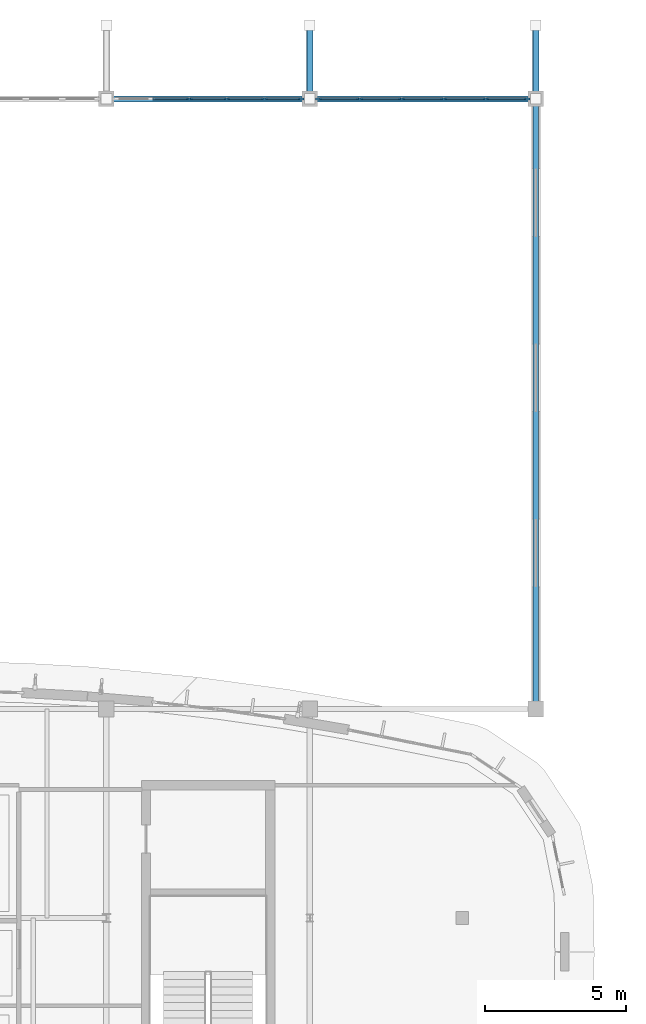
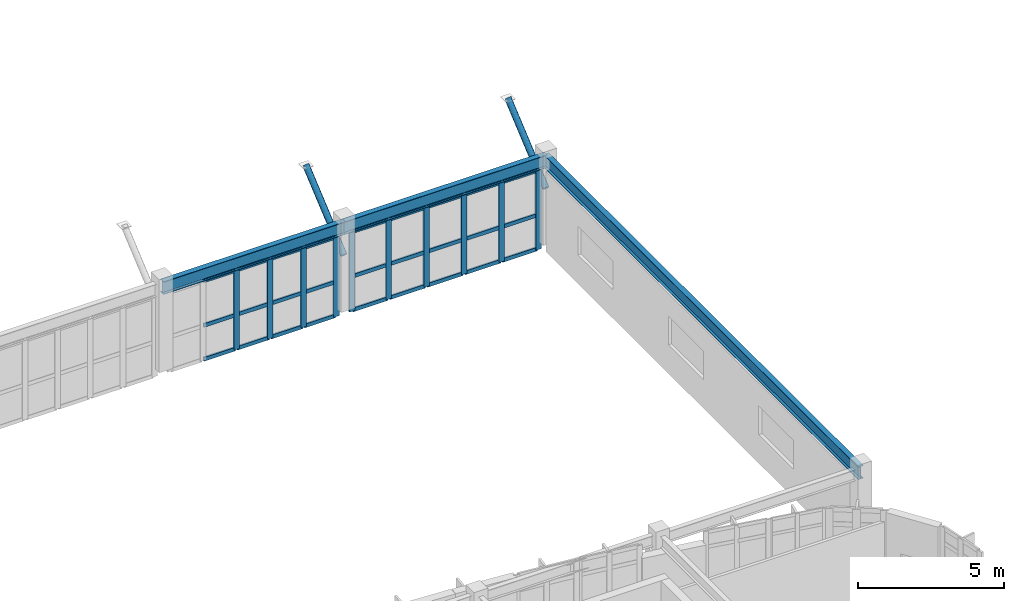
# One storey, part 44 of 111: 39 members, 3 beams, 2 elements without a shape of their own.
"""IFC4 building model written with IfcOpenShell, lengths in metres."""

from ifc_helpers import new_model, si_unit, direction, frame, origin, origin_2d, place, context, subcontext, project, spatial, rectangle, hollow_circle, i_section, extrude, material, material_profile, profile_set, type_object, element, aggregate, save


model = new_model("IFC4")

# Units and contexts
model_context = context("Model", 3, precision=1e-05, world=origin(), true_north=direction((0.0, 1.0)))
body_context = subcontext(model_context, "Body", "Model", "MODEL_VIEW")
ifc_project = project(units=[si_unit("LENGTHUNIT", "METRE"), si_unit("AREAUNIT", "SQUARE_METRE"), si_unit("VOLUMEUNIT", "CUBIC_METRE"), si_unit("PLANEANGLEUNIT", "RADIAN"), si_unit("MASSUNIT", "GRAM", prefix="KILO")], contexts=[model_context])

# Site, building, storey
site_placement = place(None, origin())
site = spatial("IfcSite", under=ifc_project, at=site_placement, CompositionType="ELEMENT")
building_placement = place(site_placement, origin())
building = spatial("IfcBuilding", under=site, at=building_placement, Name="Corveleigh Park Community Centre", CompositionType="ELEMENT")
storey_placement = place(building_placement, frame((0.0, 0.0, 4.800048828125)))
storey = spatial("IfcBuildingStorey", under=building, at=storey_placement, Name="L01", CompositionType="ELEMENT", Elevation=4.800048828125)

# Beams
ifc_material_1 = material(Name="Steel S355", Category="steel")
ifc_material_profile_1 = material_profile(ifc_material_1, i_section(OverallWidth=0.2099609375, OverallDepth=0.53662109375, WebThickness=0.0107421875, FlangeThickness=0.017333984375, at=origin_2d()), Name="UKB 533x210x101", Category="steel")
ifc_profile_set_1 = profile_set([ifc_material_profile_1], Name="Steel S355")
beam_type = type_object("IfcBeamType", Name="BM-STL-UKB533x101", PredefinedType="BEAM", material=ifc_profile_set_1)
beam_1_placement = place(storey_placement, frame((39.205078125, 114.39990234375, 3.34375), z_axis=(1.0, 0.0, 0.0), x_axis=(0.0, 1.0, 0.0)))
element("IfcBeam", 1, at=beam_1_placement, inside=storey, type_object=beam_type, Name="V2 North Hall Girder", PredefinedType="BEAM", context=body_context, shape_type="SweptSolid", body=[
    extrude(i_section(OverallWidth=0.2099609375, OverallDepth=0.53662109375, WebThickness=0.0107421875, FlangeThickness=0.017333984375, at=origin_2d()), origin(), (0.0, 0.0, 1.0), 7.18994140625),
])
beam_2_placement = place(storey_placement, frame((46.405029296875, 114.39990234375, 3.34375), z_axis=(1.0, 0.0, 0.0), x_axis=(0.0, 1.0, 0.0)))
element("IfcBeam", 2, at=beam_2_placement, inside=storey, type_object=beam_type, Name="V2 North Hall Girder", PredefinedType="BEAM", context=body_context, shape_type="SweptSolid", body=[
    extrude(i_section(OverallWidth=0.2099609375, OverallDepth=0.53662109375, WebThickness=0.0107421875, FlangeThickness=0.017333984375, at=origin_2d()), origin(), (0.0, 0.0, 1.0), 7.989990234375),
])
beam_3_placement = place(storey_placement, frame((54.39990234375, 92.804931640625, 3.34375), z_axis=(0.0, 1.0, 0.0), x_axis=(-1.0, 0.0, 0.0)))
element("IfcBeam", 3, at=beam_3_placement, inside=storey, type_object=beam_type, Name="V2 East Hall Gable Girder", PredefinedType="BEAM", context=body_context, shape_type="SweptSolid", body=[
    extrude(i_section(OverallWidth=0.2099609375, OverallDepth=0.53662109375, WebThickness=0.0107421875, FlangeThickness=0.017333984375, at=origin_2d()), origin(), (0.0, 0.0, 1.0), 21.590087890625),
])

# Curtain wall, members
ifc_material_2 = material(Name="Anodised aluminium 6063-T6", Category="aluminium")
curtain_wall_type = type_object("IfcCurtainWallType", Name="CW-SYS-V2-HALL", PredefinedType="NOTDEFINED", material=ifc_material_2)
curtain_wall_1_placement = place(storey_placement, origin())
curtain_wall_1 = element("IfcCurtainWall", 4, at=curtain_wall_1_placement, inside=storey, type_object=curtain_wall_type, Name="Sports Hall North Clerestory CW 5", PredefinedType="NOTDEFINED")
ifc_material_profile_2 = material_profile(ifc_material_2, rectangle(XDim=0.074951171875, YDim=0.219970703125, at=origin_2d()), Name="ALU-M75x220", Category="aluminium")
ifc_profile_set_2 = profile_set([ifc_material_profile_2], Name="Anodised aluminium 6063-T6")
member_type_1 = type_object("IfcMemberType", Name="CWM-75x220", PredefinedType="MULLION", material=ifc_profile_set_2)
member_1_placement = place(storey_placement, frame((46.08740234375, 114.39990234375, -0.2880859375), z_axis=(0.0, 0.0, 1.0), x_axis=(0.0, -1.0, 0.0)))
member_1 = element("IfcMember", 5, at=member_1_placement, type_object=member_type_1, Name="CW04 mullion 1", PredefinedType="MULLION", context=body_context, shape_type="SweptSolid", body=[
    extrude(rectangle(XDim=0.074951171875, YDim=0.219970703125, at=origin_2d()), origin(), (0.0, 0.0, 1.0), 3.35107421875),
])
member_2_placement = place(storey_placement, frame((44.794921875, 114.39990234375, -0.2880859375), z_axis=(0.0, 0.0, 1.0), x_axis=(0.0, -1.0, 0.0)))
member_2 = element("IfcMember", 6, at=member_2_placement, type_object=member_type_1, Name="CW04 mullion 2", PredefinedType="MULLION", context=body_context, shape_type="SweptSolid", body=[
    extrude(rectangle(XDim=0.074951171875, YDim=0.219970703125, at=origin_2d()), origin(), (0.0, 0.0, 1.0), 3.35107421875),
])
member_3_placement = place(storey_placement, frame((43.465087890625, 114.39990234375, -0.2880859375), z_axis=(0.0, 0.0, 1.0), x_axis=(0.0, -1.0, 0.0)))
member_3 = element("IfcMember", 7, at=member_3_placement, type_object=member_type_1, Name="CW04 mullion 3", PredefinedType="MULLION", context=body_context, shape_type="SweptSolid", body=[
    extrude(rectangle(XDim=0.074951171875, YDim=0.219970703125, at=origin_2d()), origin(), (0.0, 0.0, 1.0), 3.35107421875),
])
member_4_placement = place(storey_placement, frame((42.135009765625, 114.39990234375, -0.2880859375), z_axis=(0.0, 0.0, 1.0), x_axis=(0.0, -1.0, 0.0)))
member_4 = element("IfcMember", 8, at=member_4_placement, type_object=member_type_1, Name="CW04 mullion 4", PredefinedType="MULLION", context=body_context, shape_type="SweptSolid", body=[
    extrude(rectangle(XDim=0.074951171875, YDim=0.219970703125, at=origin_2d()), origin(), (0.0, 0.0, 1.0), 3.35107421875),
])

curtain_wall_2_placement = place(storey_placement, origin())
curtain_wall_2 = element("IfcCurtainWall", 9, at=curtain_wall_2_placement, inside=storey, type_object=curtain_wall_type, Name="Sports Hall North Clerestory CW 6", PredefinedType="NOTDEFINED")
member_5_placement = place(storey_placement, frame((54.08740234375, 114.39990234375, -0.2880859375), z_axis=(0.0, 0.0, 1.0), x_axis=(0.0, -1.0, 0.0)))
member_5 = element("IfcMember", 10, at=member_5_placement, type_object=member_type_1, Name="CW04 mullion 1", PredefinedType="MULLION", context=body_context, shape_type="SweptSolid", body=[
    extrude(rectangle(XDim=0.074951171875, YDim=0.219970703125, at=origin_2d()), origin(), (0.0, 0.0, 1.0), 3.35107421875),
])
member_6_placement = place(storey_placement, frame((52.635009765625, 114.39990234375, -0.2880859375), z_axis=(0.0, 0.0, 1.0), x_axis=(0.0, -1.0, 0.0)))
member_6 = element("IfcMember", 11, at=member_6_placement, type_object=member_type_1, Name="CW04 mullion 2", PredefinedType="MULLION", context=body_context, shape_type="SweptSolid", body=[
    extrude(rectangle(XDim=0.074951171875, YDim=0.219970703125, at=origin_2d()), origin(), (0.0, 0.0, 1.0), 3.35107421875),
])
member_7_placement = place(storey_placement, frame((51.14501953125, 114.39990234375, -0.2880859375), z_axis=(0.0, 0.0, 1.0), x_axis=(0.0, -1.0, 0.0)))
member_7 = element("IfcMember", 12, at=member_7_placement, type_object=member_type_1, Name="CW04 mullion 3", PredefinedType="MULLION", context=body_context, shape_type="SweptSolid", body=[
    extrude(rectangle(XDim=0.074951171875, YDim=0.219970703125, at=origin_2d()), origin(), (0.0, 0.0, 1.0), 3.35107421875),
])
member_8_placement = place(storey_placement, frame((49.655029296875, 114.39990234375, -0.2880859375), z_axis=(0.0, 0.0, 1.0), x_axis=(0.0, -1.0, 0.0)))
member_8 = element("IfcMember", 13, at=member_8_placement, type_object=member_type_1, Name="CW04 mullion 4", PredefinedType="MULLION", context=body_context, shape_type="SweptSolid", body=[
    extrude(rectangle(XDim=0.074951171875, YDim=0.219970703125, at=origin_2d()), origin(), (0.0, 0.0, 1.0), 3.35107421875),
])
member_9_placement = place(storey_placement, frame((48.1650390625, 114.39990234375, -0.2880859375), z_axis=(0.0, 0.0, 1.0), x_axis=(0.0, -1.0, 0.0)))
member_9 = element("IfcMember", 14, at=member_9_placement, type_object=member_type_1, Name="CW04 mullion 5", PredefinedType="MULLION", context=body_context, shape_type="SweptSolid", body=[
    extrude(rectangle(XDim=0.074951171875, YDim=0.219970703125, at=origin_2d()), origin(), (0.0, 0.0, 1.0), 3.35107421875),
])
member_10_placement = place(storey_placement, frame((46.71240234375, 114.39990234375, -0.2880859375), z_axis=(0.0, 0.0, 1.0), x_axis=(0.0, -1.0, 0.0)))
member_10 = element("IfcMember", 15, at=member_10_placement, type_object=member_type_1, Name="CW04 mullion 6", PredefinedType="MULLION", context=body_context, shape_type="SweptSolid", body=[
    extrude(rectangle(XDim=0.074951171875, YDim=0.219970703125, at=origin_2d()), origin(), (0.0, 0.0, 1.0), 3.35107421875),
])

# Member
ifc_material_profile_3 = material_profile(ifc_material_2, rectangle(XDim=0.070068359375, YDim=0.155029296875, at=origin_2d()), Name="ALU-T70x155", Category="aluminium")
ifc_profile_set_3 = profile_set([ifc_material_profile_3], Name="Anodised aluminium 6063-T6")
member_type_2 = type_object("IfcMemberType", Name="CWT-70x155", PredefinedType="USERDEFINED", material=ifc_profile_set_3)
member_11_placement = place(storey_placement, frame((46.050048828125, 114.39990234375, -0.2529296875), z_axis=(-1.0, 0.0, 0.0), x_axis=(0.0, -1.0, 0.0)))
member_11 = element("IfcMember", 16, at=member_11_placement, type_object=member_type_2, Name="CW04 transom 1.1", ObjectType="TRANSOM", PredefinedType="USERDEFINED", context=body_context, shape_type="SweptSolid", body=[
    extrude(rectangle(XDim=0.070068359375, YDim=0.155029296875, at=origin_2d()), origin(), (0.0, 0.0, 1.0), 1.217529296875),
])

member_12_placement = place(storey_placement, frame((46.050048828125, 114.39990234375, 1.161865234375), z_axis=(-1.0, 0.0, 0.0), x_axis=(0.0, -1.0, 0.0)))
member_12 = element("IfcMember", 17, at=member_12_placement, type_object=member_type_2, Name="CW04 transom 1.2", ObjectType="TRANSOM", PredefinedType="USERDEFINED", context=body_context, shape_type="SweptSolid", body=[
    extrude(rectangle(XDim=0.070068359375, YDim=0.155029296875, at=origin_2d()), origin(), (0.0, 0.0, 1.0), 1.217529296875),
])

member_13_placement = place(storey_placement, frame((46.050048828125, 114.39990234375, 3.02783203125), z_axis=(-1.0, 0.0, 0.0), x_axis=(0.0, -1.0, 0.0)))
member_13 = element("IfcMember", 18, at=member_13_placement, type_object=member_type_2, Name="CW04 transom 1.3", ObjectType="TRANSOM", PredefinedType="USERDEFINED", context=body_context, shape_type="SweptSolid", body=[
    extrude(rectangle(XDim=0.070068359375, YDim=0.155029296875, at=origin_2d()), origin(), (0.0, 0.0, 1.0), 1.217529296875),
])

member_14_placement = place(storey_placement, frame((44.757568359375, 114.39990234375, -0.2529296875), z_axis=(-1.0, 0.0, 0.0), x_axis=(0.0, -1.0, 0.0)))
member_14 = element("IfcMember", 19, at=member_14_placement, type_object=member_type_2, Name="CW04 transom 2.1", ObjectType="TRANSOM", PredefinedType="USERDEFINED", context=body_context, shape_type="SweptSolid", body=[
    extrude(rectangle(XDim=0.070068359375, YDim=0.155029296875, at=origin_2d()), origin(), (0.0, 0.0, 1.0), 1.255126953125),
])

member_15_placement = place(storey_placement, frame((44.757568359375, 114.39990234375, 1.161865234375), z_axis=(-1.0, 0.0, 0.0), x_axis=(0.0, -1.0, 0.0)))
member_15 = element("IfcMember", 20, at=member_15_placement, type_object=member_type_2, Name="CW04 transom 2.2", ObjectType="TRANSOM", PredefinedType="USERDEFINED", context=body_context, shape_type="SweptSolid", body=[
    extrude(rectangle(XDim=0.070068359375, YDim=0.155029296875, at=origin_2d()), origin(), (0.0, 0.0, 1.0), 1.255126953125),
])

member_16_placement = place(storey_placement, frame((44.757568359375, 114.39990234375, 3.02783203125), z_axis=(-1.0, 0.0, 0.0), x_axis=(0.0, -1.0, 0.0)))
member_16 = element("IfcMember", 21, at=member_16_placement, type_object=member_type_2, Name="CW04 transom 2.3", ObjectType="TRANSOM", PredefinedType="USERDEFINED", context=body_context, shape_type="SweptSolid", body=[
    extrude(rectangle(XDim=0.070068359375, YDim=0.155029296875, at=origin_2d()), origin(), (0.0, 0.0, 1.0), 1.255126953125),
])

member_17_placement = place(storey_placement, frame((43.427490234375, 114.39990234375, -0.2529296875), z_axis=(-1.0, 0.0, 0.0), x_axis=(0.0, -1.0, 0.0)))
member_17 = element("IfcMember", 22, at=member_17_placement, type_object=member_type_2, Name="CW04 transom 3.1", ObjectType="TRANSOM", PredefinedType="USERDEFINED", context=body_context, shape_type="SweptSolid", body=[
    extrude(rectangle(XDim=0.070068359375, YDim=0.155029296875, at=origin_2d()), origin(), (0.0, 0.0, 1.0), 1.2548828125),
])

member_18_placement = place(storey_placement, frame((43.427490234375, 114.39990234375, 1.161865234375), z_axis=(-1.0, 0.0, 0.0), x_axis=(0.0, -1.0, 0.0)))
member_18 = element("IfcMember", 23, at=member_18_placement, type_object=member_type_2, Name="CW04 transom 3.2", ObjectType="TRANSOM", PredefinedType="USERDEFINED", context=body_context, shape_type="SweptSolid", body=[
    extrude(rectangle(XDim=0.070068359375, YDim=0.155029296875, at=origin_2d()), origin(), (0.0, 0.0, 1.0), 1.2548828125),
])

member_19_placement = place(storey_placement, frame((43.427490234375, 114.39990234375, 3.02783203125), z_axis=(-1.0, 0.0, 0.0), x_axis=(0.0, -1.0, 0.0)))
member_19 = element("IfcMember", 24, at=member_19_placement, type_object=member_type_2, Name="CW04 transom 3.3", ObjectType="TRANSOM", PredefinedType="USERDEFINED", context=body_context, shape_type="SweptSolid", body=[
    extrude(rectangle(XDim=0.070068359375, YDim=0.155029296875, at=origin_2d()), origin(), (0.0, 0.0, 1.0), 1.2548828125),
])

member_20_placement = place(storey_placement, frame((42.097412109375, 114.39990234375, -0.2529296875), z_axis=(-1.0, 0.0, 0.0), x_axis=(0.0, -1.0, 0.0)))
member_20 = element("IfcMember", 25, at=member_20_placement, type_object=member_type_2, Name="CW04 transom 4.1", ObjectType="TRANSOM", PredefinedType="USERDEFINED", context=body_context, shape_type="SweptSolid", body=[
    extrude(rectangle(XDim=0.070068359375, YDim=0.155029296875, at=origin_2d()), origin(), (0.0, 0.0, 1.0), 1.2548828125),
])

member_21_placement = place(storey_placement, frame((42.097412109375, 114.39990234375, 1.161865234375), z_axis=(-1.0, 0.0, 0.0), x_axis=(0.0, -1.0, 0.0)))
member_21 = element("IfcMember", 26, at=member_21_placement, type_object=member_type_2, Name="CW04 transom 4.2", ObjectType="TRANSOM", PredefinedType="USERDEFINED", context=body_context, shape_type="SweptSolid", body=[
    extrude(rectangle(XDim=0.070068359375, YDim=0.155029296875, at=origin_2d()), origin(), (0.0, 0.0, 1.0), 1.2548828125),
])

member_22_placement = place(storey_placement, frame((42.097412109375, 114.39990234375, 3.02783203125), z_axis=(-1.0, 0.0, 0.0), x_axis=(0.0, -1.0, 0.0)))
member_22 = element("IfcMember", 27, at=member_22_placement, type_object=member_type_2, Name="CW04 transom 4.3", ObjectType="TRANSOM", PredefinedType="USERDEFINED", context=body_context, shape_type="SweptSolid", body=[
    extrude(rectangle(XDim=0.070068359375, YDim=0.155029296875, at=origin_2d()), origin(), (0.0, 0.0, 1.0), 1.2548828125),
])

aggregate(curtain_wall_1, [member_1, member_2, member_3, member_4, member_11, member_12, member_13, member_14, member_15, member_16, member_17, member_18, member_19, member_20, member_21, member_22])

member_23_placement = place(storey_placement, frame((54.050048828125, 114.39990234375, -0.2529296875), z_axis=(-1.0, 0.0, 0.0), x_axis=(0.0, -1.0, 0.0)))
member_23 = element("IfcMember", 28, at=member_23_placement, type_object=member_type_2, Name="CW04 transom 1.1", ObjectType="TRANSOM", PredefinedType="USERDEFINED", context=body_context, shape_type="SweptSolid", body=[
    extrude(rectangle(XDim=0.070068359375, YDim=0.155029296875, at=origin_2d()), origin(), (0.0, 0.0, 1.0), 1.37744140625),
])

member_24_placement = place(storey_placement, frame((54.050048828125, 114.39990234375, 1.161865234375), z_axis=(-1.0, 0.0, 0.0), x_axis=(0.0, -1.0, 0.0)))
member_24 = element("IfcMember", 29, at=member_24_placement, type_object=member_type_2, Name="CW04 transom 1.2", ObjectType="TRANSOM", PredefinedType="USERDEFINED", context=body_context, shape_type="SweptSolid", body=[
    extrude(rectangle(XDim=0.070068359375, YDim=0.155029296875, at=origin_2d()), origin(), (0.0, 0.0, 1.0), 1.37744140625),
])

member_25_placement = place(storey_placement, frame((54.050048828125, 114.39990234375, 3.02783203125), z_axis=(-1.0, 0.0, 0.0), x_axis=(0.0, -1.0, 0.0)))
member_25 = element("IfcMember", 30, at=member_25_placement, type_object=member_type_2, Name="CW04 transom 1.3", ObjectType="TRANSOM", PredefinedType="USERDEFINED", context=body_context, shape_type="SweptSolid", body=[
    extrude(rectangle(XDim=0.070068359375, YDim=0.155029296875, at=origin_2d()), origin(), (0.0, 0.0, 1.0), 1.37744140625),
])

member_26_placement = place(storey_placement, frame((52.597412109375, 114.39990234375, -0.2529296875), z_axis=(-1.0, 0.0, 0.0), x_axis=(0.0, -1.0, 0.0)))
member_26 = element("IfcMember", 31, at=member_26_placement, type_object=member_type_2, Name="CW04 transom 2.1", ObjectType="TRANSOM", PredefinedType="USERDEFINED", context=body_context, shape_type="SweptSolid", body=[
    extrude(rectangle(XDim=0.070068359375, YDim=0.155029296875, at=origin_2d()), origin(), (0.0, 0.0, 1.0), 1.414794921875),
])

member_27_placement = place(storey_placement, frame((52.597412109375, 114.39990234375, 1.161865234375), z_axis=(-1.0, 0.0, 0.0), x_axis=(0.0, -1.0, 0.0)))
member_27 = element("IfcMember", 32, at=member_27_placement, type_object=member_type_2, Name="CW04 transom 2.2", ObjectType="TRANSOM", PredefinedType="USERDEFINED", context=body_context, shape_type="SweptSolid", body=[
    extrude(rectangle(XDim=0.070068359375, YDim=0.155029296875, at=origin_2d()), origin(), (0.0, 0.0, 1.0), 1.414794921875),
])

member_28_placement = place(storey_placement, frame((52.597412109375, 114.39990234375, 3.02783203125), z_axis=(-1.0, 0.0, 0.0), x_axis=(0.0, -1.0, 0.0)))
member_28 = element("IfcMember", 33, at=member_28_placement, type_object=member_type_2, Name="CW04 transom 2.3", ObjectType="TRANSOM", PredefinedType="USERDEFINED", context=body_context, shape_type="SweptSolid", body=[
    extrude(rectangle(XDim=0.070068359375, YDim=0.155029296875, at=origin_2d()), origin(), (0.0, 0.0, 1.0), 1.414794921875),
])

member_29_placement = place(storey_placement, frame((51.107421875, 114.39990234375, -0.2529296875), z_axis=(-1.0, 0.0, 0.0), x_axis=(0.0, -1.0, 0.0)))
member_29 = element("IfcMember", 34, at=member_29_placement, type_object=member_type_2, Name="CW04 transom 3.1", ObjectType="TRANSOM", PredefinedType="USERDEFINED", context=body_context, shape_type="SweptSolid", body=[
    extrude(rectangle(XDim=0.070068359375, YDim=0.155029296875, at=origin_2d()), origin(), (0.0, 0.0, 1.0), 1.4150390625),
])

member_30_placement = place(storey_placement, frame((51.107421875, 114.39990234375, 1.161865234375), z_axis=(-1.0, 0.0, 0.0), x_axis=(0.0, -1.0, 0.0)))
member_30 = element("IfcMember", 35, at=member_30_placement, type_object=member_type_2, Name="CW04 transom 3.2", ObjectType="TRANSOM", PredefinedType="USERDEFINED", context=body_context, shape_type="SweptSolid", body=[
    extrude(rectangle(XDim=0.070068359375, YDim=0.155029296875, at=origin_2d()), origin(), (0.0, 0.0, 1.0), 1.4150390625),
])

member_31_placement = place(storey_placement, frame((51.107421875, 114.39990234375, 3.02783203125), z_axis=(-1.0, 0.0, 0.0), x_axis=(0.0, -1.0, 0.0)))
member_31 = element("IfcMember", 36, at=member_31_placement, type_object=member_type_2, Name="CW04 transom 3.3", ObjectType="TRANSOM", PredefinedType="USERDEFINED", context=body_context, shape_type="SweptSolid", body=[
    extrude(rectangle(XDim=0.070068359375, YDim=0.155029296875, at=origin_2d()), origin(), (0.0, 0.0, 1.0), 1.4150390625),
])

member_32_placement = place(storey_placement, frame((49.617431640625, 114.39990234375, -0.2529296875), z_axis=(-1.0, 0.0, 0.0), x_axis=(0.0, -1.0, 0.0)))
member_32 = element("IfcMember", 37, at=member_32_placement, type_object=member_type_2, Name="CW04 transom 4.1", ObjectType="TRANSOM", PredefinedType="USERDEFINED", context=body_context, shape_type="SweptSolid", body=[
    extrude(rectangle(XDim=0.070068359375, YDim=0.155029296875, at=origin_2d()), origin(), (0.0, 0.0, 1.0), 1.4150390625),
])

member_33_placement = place(storey_placement, frame((49.617431640625, 114.39990234375, 1.161865234375), z_axis=(-1.0, 0.0, 0.0), x_axis=(0.0, -1.0, 0.0)))
member_33 = element("IfcMember", 38, at=member_33_placement, type_object=member_type_2, Name="CW04 transom 4.2", ObjectType="TRANSOM", PredefinedType="USERDEFINED", context=body_context, shape_type="SweptSolid", body=[
    extrude(rectangle(XDim=0.070068359375, YDim=0.155029296875, at=origin_2d()), origin(), (0.0, 0.0, 1.0), 1.4150390625),
])

member_34_placement = place(storey_placement, frame((49.617431640625, 114.39990234375, 3.02783203125), z_axis=(-1.0, 0.0, 0.0), x_axis=(0.0, -1.0, 0.0)))
member_34 = element("IfcMember", 39, at=member_34_placement, type_object=member_type_2, Name="CW04 transom 4.3", ObjectType="TRANSOM", PredefinedType="USERDEFINED", context=body_context, shape_type="SweptSolid", body=[
    extrude(rectangle(XDim=0.070068359375, YDim=0.155029296875, at=origin_2d()), origin(), (0.0, 0.0, 1.0), 1.4150390625),
])

member_35_placement = place(storey_placement, frame((48.12744140625, 114.39990234375, -0.2529296875), z_axis=(-1.0, 0.0, 0.0), x_axis=(0.0, -1.0, 0.0)))
member_35 = element("IfcMember", 40, at=member_35_placement, type_object=member_type_2, Name="CW04 transom 5.1", ObjectType="TRANSOM", PredefinedType="USERDEFINED", context=body_context, shape_type="SweptSolid", body=[
    extrude(rectangle(XDim=0.070068359375, YDim=0.155029296875, at=origin_2d()), origin(), (0.0, 0.0, 1.0), 1.37744140625),
])

member_36_placement = place(storey_placement, frame((48.12744140625, 114.39990234375, 1.161865234375), z_axis=(-1.0, 0.0, 0.0), x_axis=(0.0, -1.0, 0.0)))
member_36 = element("IfcMember", 41, at=member_36_placement, type_object=member_type_2, Name="CW04 transom 5.2", ObjectType="TRANSOM", PredefinedType="USERDEFINED", context=body_context, shape_type="SweptSolid", body=[
    extrude(rectangle(XDim=0.070068359375, YDim=0.155029296875, at=origin_2d()), origin(), (0.0, 0.0, 1.0), 1.37744140625),
])

member_37_placement = place(storey_placement, frame((48.12744140625, 114.39990234375, 3.02783203125), z_axis=(-1.0, 0.0, 0.0), x_axis=(0.0, -1.0, 0.0)))
member_37 = element("IfcMember", 42, at=member_37_placement, type_object=member_type_2, Name="CW04 transom 5.3", ObjectType="TRANSOM", PredefinedType="USERDEFINED", context=body_context, shape_type="SweptSolid", body=[
    extrude(rectangle(XDim=0.070068359375, YDim=0.155029296875, at=origin_2d()), origin(), (0.0, 0.0, 1.0), 1.37744140625),
])

aggregate(curtain_wall_2, [member_5, member_6, member_7, member_8, member_9, member_10, member_23, member_24, member_25, member_26, member_27, member_28, member_29, member_30, member_31, member_32, member_33, member_34, member_35, member_36, member_37])

# Members
ifc_material_profile_4 = material_profile(ifc_material_1, hollow_circle(Radius=0.122314453125, WallThickness=0.012451171875, at=origin_2d()), Name="CHS 244.5x12.5", Category="steel")
ifc_profile_set_4 = profile_set([ifc_material_profile_4], Name="Steel S355")
member_type_3 = type_object("IfcMemberType", Name="MEM-STR-CHS245", PredefinedType="STRUT", material=ifc_profile_set_4)
for number, where, z_axis, x_axis, name in (
    (43, (46.39990234375, 114.39990234375, 2.14990234375), (0.0, 0.764253902898, 0.644915476558), (-1.0, 0.0, 0.0), "V2 North Sports Eave Raking Strut 6"),
    (44, (54.39990234375, 114.39990234375, 2.14990234375), (0.0, 0.764253902898, 0.644915476558), (-1.0, 0.0, 0.0), "V2 North Sports Eave Raking Strut 7"),
):
    element("IfcMember", number, at=place(storey_placement, frame(where, z_axis=z_axis, x_axis=x_axis)), inside=storey, type_object=member_type_3, Name=name, PredefinedType="STRUT", context=body_context, shape_type="SweptSolid", body=[
        extrude(hollow_circle(Radius=0.122314453125, WallThickness=0.012451171875, at=origin_2d()), origin(), (0.0, 0.0, 1.0), 3.402099609375),
    ])

save(model, "model.ifc")
